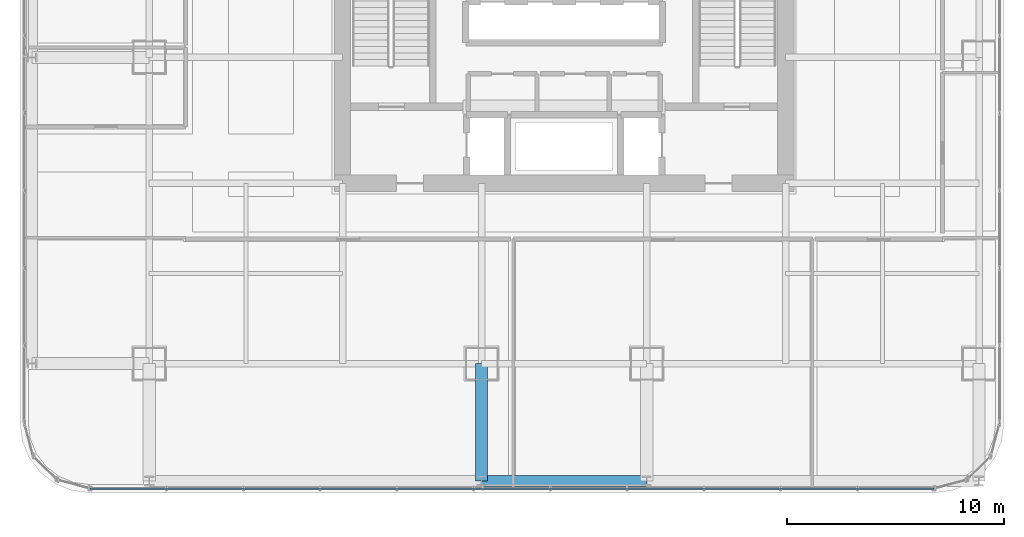
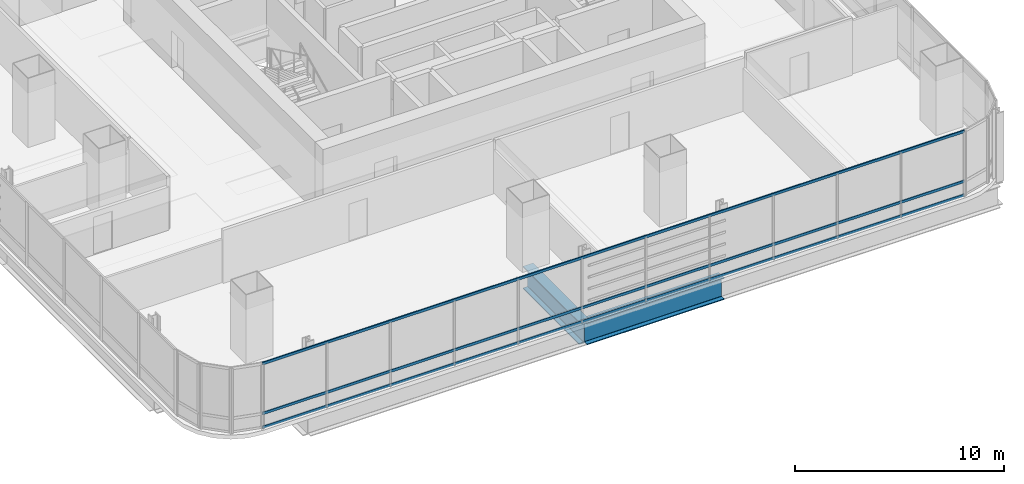
# One storey, part 7 of 36: 3 members, 2 beams, 1 element without a shape of its own.
"""IFC4 building model written with IfcOpenShell, lengths in metres."""

from ifc_helpers import new_model, si_unit, direction, frame, origin, origin_2d, place, context, subcontext, project, spatial, hollow_rectangle, i_section, extrude, material, material_profile, profile_set, type_object, element, aggregate, save


model = new_model("IFC4")

# Units and contexts
model_context = context("Model", 3, precision=1e-05, world=origin(), true_north=direction((0.0, 1.0)))
body_context = subcontext(model_context, "Body", "Model", "MODEL_VIEW")
ifc_project = project(units=[si_unit("LENGTHUNIT", "METRE"), si_unit("AREAUNIT", "SQUARE_METRE"), si_unit("VOLUMEUNIT", "CUBIC_METRE"), si_unit("PLANEANGLEUNIT", "RADIAN"), si_unit("MASSUNIT", "GRAM", prefix="KILO")], contexts=[model_context])

# Site, building, storey
site_placement = place(None, origin())
site = spatial("IfcSite", under=ifc_project, at=site_placement, CompositionType="ELEMENT")
building_placement = place(site_placement, origin())
building = spatial("IfcBuilding", under=site, at=building_placement, Name="Punatoya Terracotta Tower", CompositionType="ELEMENT")
storey_placement = place(building_placement, frame((0.0, 0.0, 32.25)))
storey = spatial("IfcBuildingStorey", under=building, at=storey_placement, Name="L06", CompositionType="ELEMENT", Elevation=32.25)

# Beams
ifc_material_1 = material(Name="Steel S460", Category="steel")
ifc_material_profile_1 = material_profile(ifc_material_1, i_section(OverallWidth=0.56005859375, OverallDepth=1.320068359375, WebThickness=0.035888671875, FlangeThickness=0.054931640625, FilletRadius=0.01806640625, at=origin_2d()))
ifc_profile_set_1 = profile_set([ifc_material_profile_1], Name="Steel S460")
beam_type_1 = type_object("IfcBeamType", Name="BM-TG-BLK", PredefinedType="BEAM", material=ifc_profile_set_1)
beam_1_placement = place(storey_placement, frame((-3.800048828125, -22.89990234375, -0.89990234375), z_axis=(0.0, 1.0, 0.0), x_axis=(-1.0, 0.0, 0.0)))
element("IfcBeam", 1, at=beam_1_placement, inside=storey, type_object=beam_type_1, Name="BM-L06-CANT-S2", PredefinedType="BEAM", context=body_context, shape_type="SweptSolid", body=[
    extrude(i_section(OverallWidth=0.56005859375, OverallDepth=1.320068359375, WebThickness=0.035888671875, FlangeThickness=0.054931640625, FilletRadius=0.01806640625, at=origin_2d()), origin(), (0.0, 0.0, 1.0), 5.39990234375),
])
ifc_material_profile_2 = material_profile(ifc_material_1, i_section(OverallWidth=0.52001953125, OverallDepth=1.280029296875, WebThickness=0.031982421875, FlangeThickness=0.050048828125, FilletRadius=0.01806640625, at=origin_2d()))
ifc_profile_set_2 = profile_set([ifc_material_profile_2], Name="Steel S460")
beam_type_2 = type_object("IfcBeamType", Name="BM-TG-NCK", PredefinedType="BEAM", material=ifc_profile_set_2)
beam_2_placement = place(storey_placement, frame((-3.800048828125, -22.89990234375, -0.8798828125), z_axis=(1.0, 0.0, 0.0), x_axis=(0.0, 1.0, 0.0)))
element("IfcBeam", 2, at=beam_2_placement, inside=storey, type_object=beam_type_2, Name="BM-L06-PER-S2", PredefinedType="BEAM", context=body_context, shape_type="SweptSolid", body=[
    extrude(i_section(OverallWidth=0.52001953125, OverallDepth=1.280029296875, WebThickness=0.031982421875, FlangeThickness=0.050048828125, FilletRadius=0.01806640625, at=origin_2d()), origin(), (0.0, 0.0, 1.0), 7.60009765625),
])

# Curtain wall, members
ifc_material_2 = material(Name="Aluminium 6063-T6 + Double Low-E Glass", Category="aluminium")
curtain_wall_type = type_object("IfcCurtainWallType", Name="CW-M1", PredefinedType="NOTDEFINED", material=ifc_material_2)
curtain_wall_placement = place(storey_placement, origin())
curtain_wall = element("IfcCurtainWall", 3, at=curtain_wall_placement, inside=storey, type_object=curtain_wall_type, Name="L06 Curtain Wall CW-L06-S01-1", PredefinedType="NOTDEFINED")
ifc_material_3 = material(Name="Aluminium 6063-T6", Category="aluminium")
ifc_material_profile_3 = material_profile(ifc_material_3, hollow_rectangle(XDim=0.068115234375, YDim=0.14990234375, WallThickness=0.00390625, at=origin_2d()))
ifc_profile_set_3 = profile_set([ifc_material_profile_3], Name="Aluminium 6063-T6")
member_type = type_object("IfcMemberType", Name="CW-TRN-TYP", PredefinedType="USERDEFINED", material=ifc_profile_set_3)
member_1_placement = place(storey_placement, frame((-21.8369140625, -23.25, 0.0400390625), z_axis=(1.0, 0.0, 0.0), x_axis=(0.0, 1.0, 0.0)))
member_1 = element("IfcMember", 4, at=member_1_placement, type_object=member_type, Name="CW-L06-S01-1 Transom 1", ObjectType="TRANSOM", PredefinedType="USERDEFINED", context=body_context, shape_type="SweptSolid", body=[
    extrude(hollow_rectangle(XDim=0.068115234375, YDim=0.14990234375, WallThickness=0.00390625, at=origin_2d()), origin(), (0.0, 0.0, 1.0), 38.873779296875),
])
member_2_placement = place(storey_placement, frame((-21.8369140625, -23.25, 0.85009765625), z_axis=(1.0, 0.0, 0.0), x_axis=(0.0, 1.0, 0.0)))
member_2 = element("IfcMember", 5, at=member_2_placement, type_object=member_type, Name="CW-L06-S01-1 Transom 2", ObjectType="TRANSOM", PredefinedType="USERDEFINED", context=body_context, shape_type="SweptSolid", body=[
    extrude(hollow_rectangle(XDim=0.068115234375, YDim=0.14990234375, WallThickness=0.00390625, at=origin_2d()), origin(), (0.0, 0.0, 1.0), 38.873779296875),
])
member_3_placement = place(storey_placement, frame((-21.8369140625, -23.25, 3.77001953125), z_axis=(1.0, 0.0, 0.0), x_axis=(0.0, 1.0, 0.0)))
member_3 = element("IfcMember", 6, at=member_3_placement, type_object=member_type, Name="CW-L06-S01-1 Transom 3", ObjectType="TRANSOM", PredefinedType="USERDEFINED", context=body_context, shape_type="SweptSolid", body=[
    extrude(hollow_rectangle(XDim=0.068115234375, YDim=0.14990234375, WallThickness=0.00390625, at=origin_2d()), origin(), (0.0, 0.0, 1.0), 38.873779296875),
])
aggregate(curtain_wall, [member_1, member_2, member_3])

save(model, "model.ifc")
